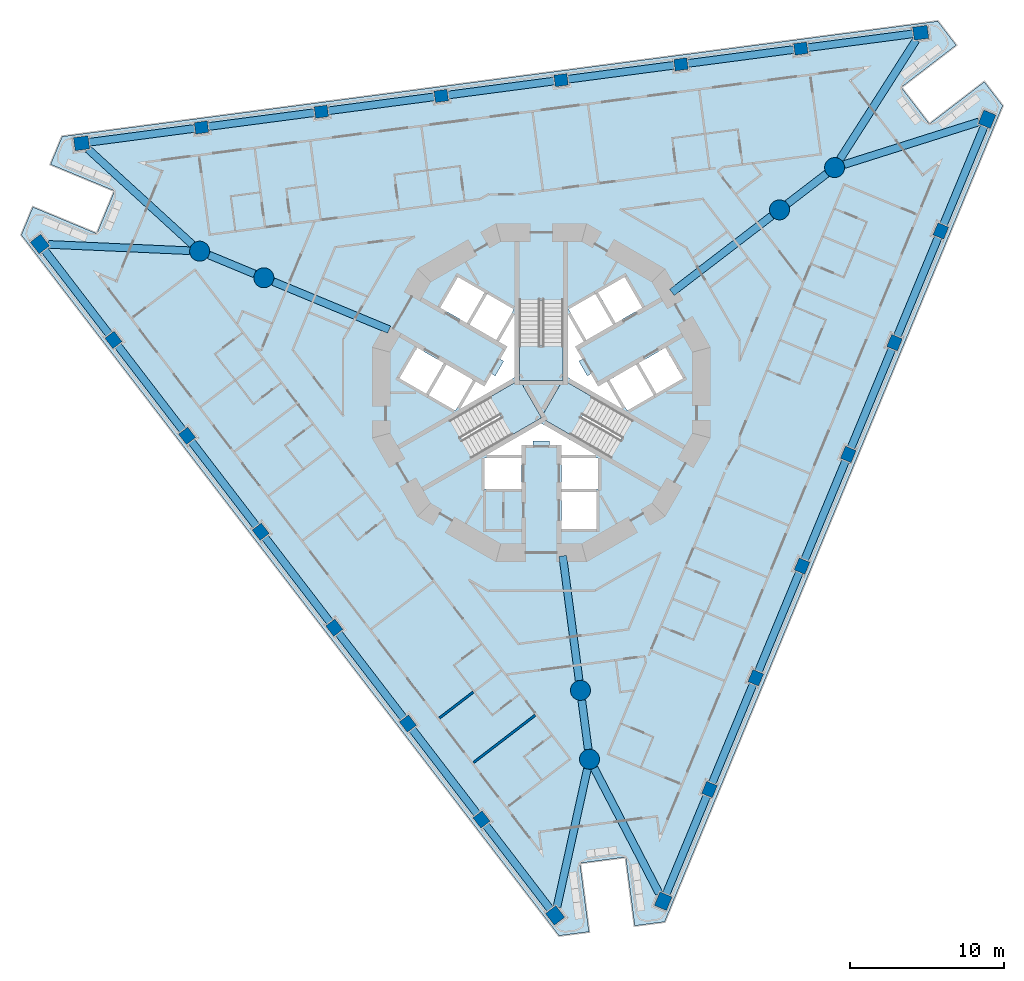
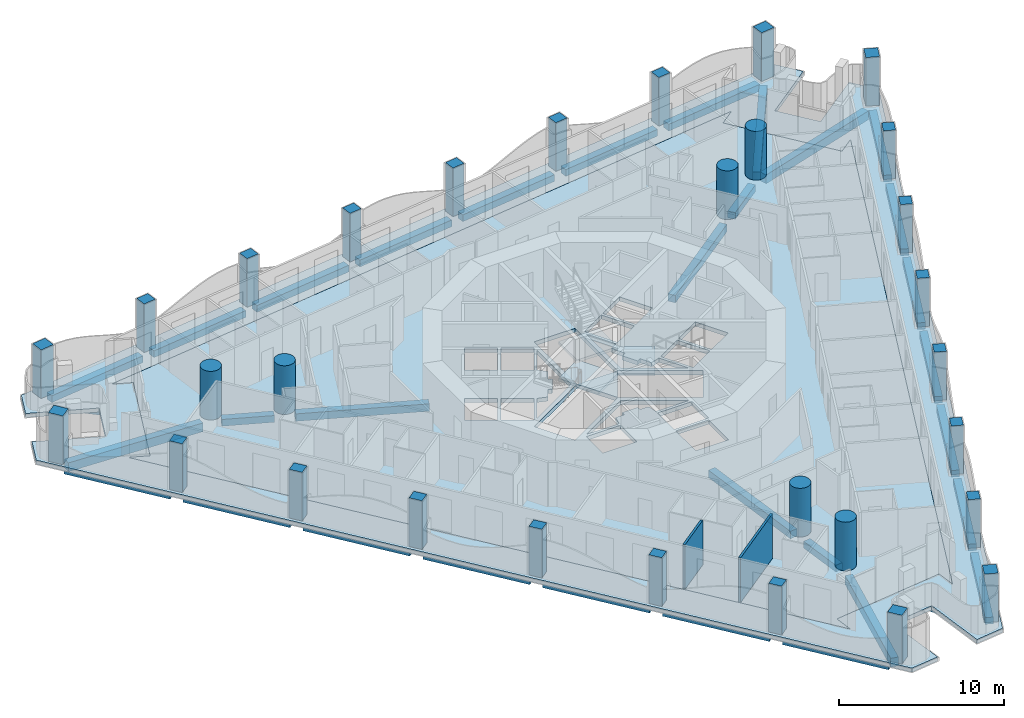
# One storey, part 1 of 19: 33 beams, 30 columns, 6 slabs, 2 walls, 3 elements without a shape of their own.
"""IFC4 building model written with IfcOpenShell, lengths in metres."""

from ifc_helpers import new_model, si_unit, direction, frame, frame_2d, origin, origin_2d, place, context, subcontext, project, spatial, polyline, rectangle, circle, outline, extrude, material, layer, layer_set, material_profile, profile_set, type_object, element, aggregate, save


model = new_model("IFC4")

# Units and contexts
model_context = context("Model", 3, precision=1e-05, world=origin(), true_north=direction((0.0, 1.0)))
body_context = subcontext(model_context, "Body", "Model", "MODEL_VIEW")
ifc_project = project(units=[si_unit("LENGTHUNIT", "METRE"), si_unit("AREAUNIT", "SQUARE_METRE"), si_unit("VOLUMEUNIT", "CUBIC_METRE"), si_unit("PLANEANGLEUNIT", "RADIAN"), si_unit("MASSUNIT", "GRAM", prefix="KILO")], contexts=[model_context])

# Site, building, storey
site_placement = place(None, origin())
site = spatial("IfcSite", under=ifc_project, at=site_placement, CompositionType="ELEMENT")
building_placement = place(site_placement, origin())
building = spatial("IfcBuilding", under=site, at=building_placement, Name="Trine Commons Tower", CompositionType="ELEMENT")
storey_placement = place(building_placement, frame((0.0, 0.0, 64.800048828125)))
storey = spatial("IfcBuildingStorey", under=building, at=storey_placement, Name="L15", CompositionType="ELEMENT", Elevation=64.800048828125)

# Columns
ifc_material_1 = material(Name="Concrete C80/95", Category="concrete")
ifc_material_profile_1 = material_profile(ifc_material_1, rectangle(XDim=0.85009765625, YDim=0.75, at=origin_2d()), Name="RC 850x750")
ifc_profile_set_1 = profile_set([ifc_material_profile_1], Name="Concrete C80/95")
column_type_1 = type_object("IfcColumnType", Name="RC column 850x750, C80/95", PredefinedType="COLUMN", material=ifc_profile_set_1)
for number, where, z_axis, x_axis, name in (
    (1, (76.1142578125, 34.74853515625, 0.0), (0.0, 0.0, 1.0), (-0.608761429009, 0.793353340291, 0.0), "Column PC2-02 L15"),
    (2, (71.3291015625, 40.984619140625, 0.0), (0.0, 0.0, 1.0), (-0.608761429009, 0.793353340291, 0.0), "Column PC2-03 L15"),
    (3, (66.5439453125, 47.220703125, 0.0), (0.0, 0.0, 1.0), (-0.608761429009, 0.793353340291, 0.0), "Column PC2-04 L15"),
    (4, (61.7587890625, 53.45703125, 0.0), (0.0, 0.0, 1.0), (-0.608761429009, 0.793353340291, 0.0), "Column PC2-05 L15"),
    (5, (56.9736328125, 59.693115234375, 0.0), (0.0, 0.0, 1.0), (-0.608761429009, 0.793353340291, 0.0), "Column PC2-06 L15"),
    (6, (52.1884765625, 65.92919921875, 0.0), (0.0, 0.0, 1.0), (-0.608761429009, 0.793353340291, 0.0), "Column PC2-07 L15"),
    (7, (57.9091796875, 79.740966796875, 0.0), (0.0, 0.0, 1.0), (0.991444861374, 0.13052619222, 0.0), "Column PC2-10 L15"),
    (8, (65.70263671875, 80.766845703125, 0.0), (0.0, 0.0, 1.0), (0.991444861374, 0.13052619222, 0.0), "Column PC2-11 L15"),
    (9, (73.495849609375, 81.79296875, 0.0), (0.0, 0.0, 1.0), (0.991444861374, 0.13052619222, 0.0), "Column PC2-12 L15"),
    (10, (81.2890625, 82.81884765625, 0.0), (0.0, 0.0, 1.0), (0.991444861374, 0.13052619222, 0.0), "Column PC2-13 L15"),
    (11, (89.08251953125, 83.844970703125, 0.0), (0.0, 0.0, 1.0), (0.991444861374, 0.13052619222, 0.0), "Column PC2-14 L15"),
    (12, (96.875732421875, 84.870849609375, 0.0), (0.0, 0.0, 1.0), (0.991444861374, 0.13052619222, 0.0), "Column PC2-15 L15"),
    (13, (105.976318359375, 73.010498046875, 0.0), (0.0, 0.0, 1.0), (0.382683432365, 0.923879532511, 0.0), "Column PC2-18 L15"),
    (14, (102.96826171875, 65.74853515625, 0.0), (0.0, 0.0, 1.0), (0.382683432365, 0.923879532511, 0.0), "Column PC2-19 L15"),
    (15, (99.960205078125, 58.486328125, 0.0), (0.0, 0.0, 1.0), (0.382683432365, 0.923879532511, 0.0), "Column PC2-20 L15"),
    (16, (96.9521484375, 51.22412109375, 0.0), (0.0, 0.0, 1.0), (0.382683432365, 0.923879532511, 0.0), "Column PC2-21 L15"),
    (17, (93.944091796875, 43.9619140625, 0.0), (0.0, 0.0, 1.0), (0.382683432365, 0.923879532511, 0.0), "Column PC2-22 L15"),
    (18, (90.935791015625, 36.69970703125, 0.0), (0.0, 0.0, 1.0), (0.382683432365, 0.923879532511, 0.0), "Column PC2-23 L15"),
):
    element("IfcColumn", number, at=place(storey_placement, frame(where, z_axis=z_axis, x_axis=x_axis)), inside=storey, type_object=column_type_1, Name=name, PredefinedType="COLUMN", context=body_context, shape_type="SweptSolid", body=[
        extrude(rectangle(XDim=0.85009765625, YDim=0.75, at=origin_2d()), origin(), (0.0, 0.0, 1.0), 3.599853515625),
    ])
ifc_material_profile_2 = material_profile(ifc_material_1, rectangle(XDim=0.949951171875, YDim=0.85009765625, at=origin_2d()), Name="RC 950x850")
ifc_profile_set_2 = profile_set([ifc_material_profile_2], Name="Concrete C80/95")
column_type_2 = type_object("IfcColumnType", Name="RC column 950x850, C80/95", PredefinedType="COLUMN", material=ifc_profile_set_2)
for number, where, z_axis, x_axis, name in (
    (19, (80.8994140625, 28.51220703125, 0.0), (0.0, 0.0, 1.0), (-0.608761429009, 0.793353340291, 0.0), "Column PC2-01 L15"),
    (20, (47.4033203125, 72.16552734375, 0.0), (0.0, 0.0, 1.0), (-0.608761429009, 0.793353340291, 0.0), "Column PC2-08 L15"),
    (21, (50.1162109375, 78.71484375, 0.0), (0.0, 0.0, 1.0), (0.991444861374, 0.13052619222, 0.0), "Column PC2-09 L15"),
    (22, (104.6689453125, 85.89697265625, 0.0), (0.0, 0.0, 1.0), (0.991444861374, 0.13052619222, 0.0), "Column PC2-16 L15"),
    (23, (108.984375, 80.272705078125, 0.0), (0.0, 0.0, 1.0), (0.382683432365, 0.923879532511, 0.0), "Column PC2-17 L15"),
    (24, (87.927734375, 29.4375, 0.0), (0.0, 0.0, 1.0), (0.382683432365, 0.923879532511, 0.0), "Column PC2-24 L15"),
):
    element("IfcColumn", number, at=place(storey_placement, frame(where, z_axis=z_axis, x_axis=x_axis)), inside=storey, type_object=column_type_2, Name=name, PredefinedType="COLUMN", context=body_context, shape_type="SweptSolid", body=[
        extrude(rectangle(XDim=0.949951171875, YDim=0.85009765625, at=origin_2d()), origin(), (0.0, 0.0, 1.0), 3.599853515625),
    ])
ifc_material_profile_3 = material_profile(ifc_material_1, circle(Radius=0.64990234375, at=origin_2d()), Name="RC round 1300")
ifc_profile_set_3 = profile_set([ifc_material_profile_3], Name="Concrete C80/95")
column_type_3 = type_object("IfcColumnType", Name="RC round column 1300 mm, C80/95", PredefinedType="COLUMN", material=ifc_profile_set_3)
for number, where, z_axis, x_axis, name in (
    (25, (82.548095703125, 43.14453125, 0.0), (0.0, 0.0, 1.0), (1.0, 0.0, 0.0), "Column WC2-1 L15"),
    (26, (83.1376953125, 38.6669921875, 0.0), (0.0, 0.0, 1.0), (1.0, 0.0, 0.0), "Column WC2-2 L15"),
    (27, (95.48828125, 74.384521484375, 0.0), (0.0, 0.0, 1.0), (1.0, 0.0, 0.0), "Column WC2-3 L15"),
    (28, (99.071044921875, 77.1337890625, 0.0), (0.0, 0.0, 1.0), (1.0, 0.0, 0.0), "Column WC2-4 L15"),
    (29, (61.963623046875, 69.970947265625, 0.0), (0.0, 0.0, 1.0), (1.0, 0.0, 0.0), "Column WC2-5 L15"),
    (30, (57.791259765625, 71.69921875, 0.0), (0.0, 0.0, 1.0), (1.0, 0.0, 0.0), "Column WC2-6 L15"),
):
    element("IfcColumn", number, at=place(storey_placement, frame(where, z_axis=z_axis, x_axis=x_axis)), inside=storey, type_object=column_type_3, Name=name, PredefinedType="COLUMN", context=body_context, shape_type="SweptSolid", body=[
        extrude(circle(Radius=0.64990234375, at=origin_2d()), origin(), (0.0, 0.0, 1.0), 3.599853515625),
    ])

# Beams
ifc_material_2 = material(Name="Concrete C50/60", Category="concrete")
ifc_material_profile_4 = material_profile(ifc_material_2, rectangle(XDim=0.5, YDim=0.5, at=origin_2d()), Name="RC 500x500")
ifc_profile_set_4 = profile_set([ifc_material_profile_4], Name="Concrete C50/60")
beam_type_1 = type_object("IfcBeamType", Name="RC beam 500x500, C50/60", PredefinedType="BEAM", material=ifc_profile_set_4)
beam_1_placement = place(storey_placement, frame((80.6103515625, 28.88916015625, -0.550048828125), z_axis=(-0.608757694977, 0.793356205501, 0.0), x_axis=(-0.793356205501, -0.608757694977, 0.0)))
element("IfcBeam", 31, at=beam_1_placement, inside=storey, type_object=beam_type_1, Name="Beam EB2-01 L15", PredefinedType="BEAM", context=body_context, shape_type="SweptSolid", body=[
    extrude(rectangle(XDim=0.5, YDim=0.5, at=origin_2d()), origin(), (0.0, 0.0, 1.0), 6.960693359375),
])
beam_2_placement = place(storey_placement, frame((75.855712890625, 35.085693359375, -0.550048828125), z_axis=(-0.608772912064, 0.793344528901, 0.0), x_axis=(-0.793344528901, -0.608772912064, 0.0)))
element("IfcBeam", 32, at=beam_2_placement, inside=storey, type_object=beam_type_1, Name="Beam EB2-02 L15", PredefinedType="BEAM", context=body_context, shape_type="SweptSolid", body=[
    extrude(rectangle(XDim=0.5, YDim=0.5, at=origin_2d()), origin(), (0.0, 0.0, 1.0), 7.010498046875),
])
beam_3_placement = place(storey_placement, frame((71.0703125, 41.322021484375, -0.550048828125), z_axis=(-0.608767812441, 0.793348442071, 0.0), x_axis=(-0.793348442071, -0.608767812441, 0.0)))
element("IfcBeam", 33, at=beam_3_placement, inside=storey, type_object=beam_type_1, Name="Beam EB2-03 L15", PredefinedType="BEAM", context=body_context, shape_type="SweptSolid", body=[
    extrude(rectangle(XDim=0.5, YDim=0.5, at=origin_2d()), origin(), (0.0, 0.0, 1.0), 7.01025390625),
])
for number, where, z_axis, x_axis, name in (
    (34, (66.285400390625, 47.55810546875, -0.550048828125), (-0.608772912064, 0.793344528901, 0.0), (-0.793344528901, -0.608772912064, 0.0), "Beam EB2-04 L15"),
    (35, (61.5, 53.794189453125, -0.550048828125), (-0.608750992772, 0.793361348188, 0.0), (-0.793361348188, -0.608750992772, 0.0), "Beam EB2-05 L15"),
):
    element("IfcBeam", number, at=place(storey_placement, frame(where, z_axis=z_axis, x_axis=x_axis)), inside=storey, type_object=beam_type_1, Name=name, PredefinedType="BEAM", context=body_context, shape_type="SweptSolid", body=[
        extrude(rectangle(XDim=0.5, YDim=0.5, at=origin_2d()), origin(), (0.0, 0.0, 1.0), 7.010498046875),
    ])
beam_4_placement = place(storey_placement, frame((56.71484375, 60.030517578125, -0.550048828125), z_axis=(-0.608789731625, 0.793331622128, 0.0), x_axis=(-0.793331622128, -0.608789731625, 0.0)))
element("IfcBeam", 36, at=beam_4_placement, inside=storey, type_object=beam_type_1, Name="Beam EB2-06 L15", PredefinedType="BEAM", context=body_context, shape_type="SweptSolid", body=[
    extrude(rectangle(XDim=0.5, YDim=0.5, at=origin_2d()), origin(), (0.0, 0.0, 1.0), 7.01025390625),
])
beam_5_placement = place(storey_placement, frame((51.9296875, 66.2666015625, -0.550048828125), z_axis=(-0.608757694977, 0.793356205501, 0.0), x_axis=(-0.793356205501, -0.608757694977, 0.0)))
element("IfcBeam", 37, at=beam_5_placement, inside=storey, type_object=beam_type_1, Name="Beam EB2-07 L15", PredefinedType="BEAM", context=body_context, shape_type="SweptSolid", body=[
    extrude(rectangle(XDim=0.5, YDim=0.5, at=origin_2d()), origin(), (0.0, 0.0, 1.0), 6.960693359375),
])
beam_6_placement = place(storey_placement, frame((50.5869140625, 78.77685546875, -0.550048828125), z_axis=(0.991446175382, 0.130516210946, 0.0), x_axis=(-0.130516210946, 0.991446175382, 0.0)))
element("IfcBeam", 38, at=beam_6_placement, inside=storey, type_object=beam_type_1, Name="Beam EB2-08 L15", PredefinedType="BEAM", context=body_context, shape_type="SweptSolid", body=[
    extrude(rectangle(XDim=0.5, YDim=0.5, at=origin_2d()), origin(), (0.0, 0.0, 1.0), 6.96044921875),
])
for number, where, z_axis, x_axis, name in (
    (39, (58.330810546875, 79.79638671875, -0.550048828125), (0.991444928767, 0.13052568032, 0.0), (-0.13052568032, 0.991444928767, 0.0), "Beam EB2-09 L15"),
    (40, (66.1240234375, 80.822509765625, -0.550048828125), (0.99144943492, 0.130491447984, 0.0), (-0.130491447984, 0.99144943492, 0.0), "Beam EB2-10 L15"),
    (41, (73.917236328125, 81.848388671875, -0.550048828125), (0.991444928767, 0.13052568032, 0.0), (-0.13052568032, 0.991444928767, 0.0), "Beam EB2-11 L15"),
    (42, (81.71044921875, 82.87451171875, -0.550048828125), (0.99144943492, 0.130491447984, 0.0), (-0.130491447984, 0.99144943492, 0.0), "Beam EB2-12 L15"),
    (43, (89.50390625, 83.900390625, -0.550048828125), (0.991444928767, 0.13052568032, 0.0), (-0.13052568032, 0.991444928767, 0.0), "Beam EB2-13 L15"),
):
    element("IfcBeam", number, at=place(storey_placement, frame(where, z_axis=z_axis, x_axis=x_axis)), inside=storey, type_object=beam_type_1, Name=name, PredefinedType="BEAM", context=body_context, shape_type="SweptSolid", body=[
        extrude(rectangle(XDim=0.5, YDim=0.5, at=origin_2d()), origin(), (0.0, 0.0, 1.0), 7.010498046875),
    ])
for number, where, z_axis, x_axis, name in (
    (44, (97.297119140625, 84.926513671875, -0.550048828125), (0.991446175382, 0.130516210946, 0.0), (-0.130516210946, 0.991446175382, 0.0), "Beam EB2-14 L15"),
    (45, (108.802490234375, 79.833984375, -0.550048828125), (-0.382671898974, -0.923884309714, 0.0), (0.923884309714, -0.382671898974, 0.0), "Beam EB2-15 L15"),
):
    element("IfcBeam", number, at=place(storey_placement, frame(where, z_axis=z_axis, x_axis=x_axis)), inside=storey, type_object=beam_type_1, Name=name, PredefinedType="BEAM", context=body_context, shape_type="SweptSolid", body=[
        extrude(rectangle(XDim=0.5, YDim=0.5, at=origin_2d()), origin(), (0.0, 0.0, 1.0), 6.96044921875),
    ])
beam_7_placement = place(storey_placement, frame((105.813720703125, 72.617919921875, -0.550048828125), z_axis=(-0.382693194178, -0.923875488976, 0.0), x_axis=(0.923875488976, -0.382693194178, 0.0)))
element("IfcBeam", 46, at=beam_7_placement, inside=storey, type_object=beam_type_1, Name="Beam EB2-16 L15", PredefinedType="BEAM", context=body_context, shape_type="SweptSolid", body=[
    extrude(rectangle(XDim=0.5, YDim=0.5, at=origin_2d()), origin(), (0.0, 0.0, 1.0), 7.010498046875),
])
for number, where, z_axis, x_axis, name in (
    (47, (102.8056640625, 65.35595703125, -0.550048828125), (-0.382680881742, -0.92388058901, 0.0), (0.92388058901, -0.382680881742, 0.0), "Beam EB2-17 L15"),
    (48, (99.797607421875, 58.09375, -0.550048828125), (-0.382680881742, -0.92388058901, 0.0), (0.92388058901, -0.382680881742, 0.0), "Beam EB2-18 L15"),
    (49, (96.78955078125, 50.83154296875, -0.550048828125), (-0.382680881742, -0.92388058901, 0.0), (0.92388058901, -0.382680881742, 0.0), "Beam EB2-19 L15"),
    (50, (93.781494140625, 43.5693359375, -0.550048828125), (-0.382710605355, -0.923868276622, 0.0), (0.923868276622, -0.382710605355, 0.0), "Beam EB2-20 L15"),
):
    element("IfcBeam", number, at=place(storey_placement, frame(where, z_axis=z_axis, x_axis=x_axis)), inside=storey, type_object=beam_type_1, Name=name, PredefinedType="BEAM", context=body_context, shape_type="SweptSolid", body=[
        extrude(rectangle(XDim=0.5, YDim=0.5, at=origin_2d()), origin(), (0.0, 0.0, 1.0), 7.0107421875),
    ])
beam_8_placement = place(storey_placement, frame((90.773193359375, 36.30712890625, -0.550048828125), z_axis=(-0.382671898974, -0.923884309714, 0.0), x_axis=(0.923884309714, -0.382671898974, 0.0)))
element("IfcBeam", 51, at=beam_8_placement, inside=storey, type_object=beam_type_1, Name="Beam EB2-21 L15", PredefinedType="BEAM", context=body_context, shape_type="SweptSolid", body=[
    extrude(rectangle(XDim=0.5, YDim=0.5, at=origin_2d()), origin(), (0.0, 0.0, 1.0), 6.96044921875),
])
beam_9_placement = place(storey_placement, frame((82.633056640625, 42.500732421875, -0.550048828125), z_axis=(0.130513398023, -0.991446545678, 0.0), x_axis=(0.991446545678, 0.130513398023, 0.0)))
element("IfcBeam", 52, at=beam_9_placement, inside=storey, type_object=beam_type_1, Name="Beam RB2-02 L15", PredefinedType="BEAM", context=body_context, shape_type="SweptSolid", body=[
    extrude(rectangle(XDim=0.5, YDim=0.5, at=origin_2d()), origin(), (0.0, 0.0, 1.0), 3.217529296875),
])
beam_10_placement = place(storey_placement, frame((96.00341796875, 74.77978515625, -0.550048828125), z_axis=(0.793368133848, 0.608742149185, 0.0), x_axis=(-0.608742149185, 0.793368133848, 0.0)))
element("IfcBeam", 53, at=beam_10_placement, inside=storey, type_object=beam_type_1, Name="Beam RB2-04 L15", PredefinedType="BEAM", context=body_context, shape_type="SweptSolid", body=[
    extrude(rectangle(XDim=0.5, YDim=0.5, at=origin_2d()), origin(), (0.0, 0.0, 1.0), 3.21728515625),
])
beam_11_placement = place(storey_placement, frame((61.363037109375, 70.2197265625, -0.550048828125), z_axis=(-0.923878970326, 0.382684789598, 0.0), x_axis=(-0.382684789598, -0.923878970326, 0.0)))
element("IfcBeam", 54, at=beam_11_placement, inside=storey, type_object=beam_type_1, Name="Beam RB2-06 L15", PredefinedType="BEAM", context=body_context, shape_type="SweptSolid", body=[
    extrude(rectangle(XDim=0.5, YDim=0.5, at=origin_2d()), origin(), (0.0, 0.0, 1.0), 3.216064453125),
])
ifc_material_profile_5 = material_profile(ifc_material_2, rectangle(XDim=0.5, YDim=0.550048828125, at=origin_2d()), Name="RC 500x550")
ifc_profile_set_5 = profile_set([ifc_material_profile_5], Name="Concrete C50/60")
beam_type_2 = type_object("IfcBeamType", Name="RC beam 500x550, C50/60", PredefinedType="BEAM", material=ifc_profile_set_5)
for number, where, z_axis, x_axis, name in (
    (55, (81.3974609375, 51.885009765625, -0.574951171875), (0.13051869661, -0.991445848161, 0.0), (0.991445848161, 0.13051869661, 0.0), "Beam RB2-01 L15"),
    (56, (88.494140625, 69.017578125, -0.574951171875), (0.79334357443, 0.608774155916, 0.0), (-0.608774155916, 0.79334357443, 0.0), "Beam RB2-03 L15"),
):
    element("IfcBeam", number, at=place(storey_placement, frame(where, z_axis=z_axis, x_axis=x_axis)), inside=storey, type_object=beam_type_2, Name=name, PredefinedType="BEAM", context=body_context, shape_type="SweptSolid", body=[
        extrude(rectangle(XDim=0.5, YDim=0.550048828125, at=origin_2d()), origin(), (0.0, 0.0, 1.0), 8.166748046875),
    ])
beam_12_placement = place(storey_placement, frame((70.1083984375, 66.59716796875, -0.574951171875), z_axis=(-0.923875444746, 0.382693300953, 0.0), x_axis=(-0.382693300953, -0.923875444746, 0.0)))
element("IfcBeam", 57, at=beam_12_placement, inside=storey, type_object=beam_type_2, Name="Beam RB2-05 L15", PredefinedType="BEAM", context=body_context, shape_type="SweptSolid", body=[
    extrude(rectangle(XDim=0.5, YDim=0.550048828125, at=origin_2d()), origin(), (0.0, 0.0, 1.0), 8.165771484375),
])
ifc_material_profile_6 = material_profile(ifc_material_2, rectangle(XDim=0.5, YDim=0.64990234375, at=origin_2d()), Name="RC 500x650")
ifc_profile_set_6 = profile_set([ifc_material_profile_6], Name="Concrete C50/60")
beam_type_3 = type_object("IfcBeamType", Name="RC beam 500x650, C50/60", PredefinedType="BEAM", material=ifc_profile_set_6)
for number, where, z_axis, x_axis, name in (
    (58, (47.9580078125, 72.140625, -0.625), (0.998993680757, -0.044851151696, 0.0), (0.044851151696, 0.998993680757, 0.0), "Beam CB2-01 L15"),
    (59, (50.52587890625, 78.340087890625, -0.625), (0.738114574549, -0.674675384788, 0.0), (0.674675384788, 0.738114574549, 0.0), "Beam CB2-02 L15"),
    (60, (104.369873046875, 85.428955078125, -0.625), (-0.538318035677, -0.842741770927, 0.0), (0.842741770927, -0.538318035677, 0.0), "Beam CB2-03 L15"),
):
    element("IfcBeam", number, at=place(storey_placement, frame(where, z_axis=z_axis, x_axis=x_axis)), inside=storey, type_object=beam_type_3, Name=name, PredefinedType="BEAM", context=body_context, shape_type="SweptSolid", body=[
        extrude(rectangle(XDim=0.5, YDim=0.64990234375, at=origin_2d()), origin(), (0.0, 0.0, 1.0), 9.19384765625),
    ])
beam_13_placement = place(storey_placement, frame((108.454833984375, 80.10498046875, -0.625), z_axis=(-0.953349995529, -0.301867166193, 0.0), x_axis=(0.301867166193, -0.953349995529, 0.0)))
element("IfcBeam", 61, at=beam_13_placement, inside=storey, type_object=beam_type_3, Name="Beam CB2-04 L15", PredefinedType="BEAM", context=body_context, shape_type="SweptSolid", body=[
    extrude(rectangle(XDim=0.5, YDim=0.64990234375, at=origin_2d()), origin(), (0.0, 0.0, 1.0), 9.193359375),
])
for number, where, z_axis, x_axis, name in (
    (62, (87.672119140625, 29.930419921875, -0.625), (-0.460652760363, 0.887580438253, 0.0), (-0.887580438253, -0.460652760363, 0.0), "Beam CB2-05 L15"),
    (63, (81.01904296875, 29.0546875, -0.625), (0.215234621965, 0.976562367444, 0.0), (-0.976562367444, 0.215234621965, 0.0), "Beam CB2-06 L15"),
):
    element("IfcBeam", number, at=place(storey_placement, frame(where, z_axis=z_axis, x_axis=x_axis)), inside=storey, type_object=beam_type_3, Name=name, PredefinedType="BEAM", context=body_context, shape_type="SweptSolid", body=[
        extrude(rectangle(XDim=0.5, YDim=0.64990234375, at=origin_2d()), origin(), (0.0, 0.0, 1.0), 9.193603515625),
    ])

# Slabs
ifc_layer_1 = layer(ifc_material_2, 0.300048828125)
ifc_layer_set_1 = layer_set([ifc_layer_1], Name="Concrete C50/60")
slab_type_1 = type_object("IfcSlabType", Name="Loggia slab 300 mm, C50/60", PredefinedType="FLOOR", material=ifc_layer_set_1)
slab_1_placement = place(storey_placement, frame((0.0, 0.0, -0.300048828125)))
element("IfcSlab", 64, at=slab_1_placement, inside=storey, type_object=slab_type_1, Name="Loggia slab L15", PredefinedType="FLOOR", context=body_context, shape_type="SweptSolid", body=[
    extrude(outline(polyline([(88.02294921875, 28.099365234375), (109.998046875, 81.15185546875), (108.80224609375, 82.710205078125), (105.232177734375, 79.970703125), (103.406005859375, 82.3505859375), (106.97607421875, 85.090087890625), (105.780517578125, 86.6484375), (48.847900390625, 79.153076171875), (48.096435546875, 77.33837890625), (52.25390625, 75.616455078125), (51.105712890625, 72.8447265625), (46.948486328125, 74.56689453125), (46.19677734375, 72.752197265625), (81.154052734375, 27.195068359375), (83.101318359375, 27.451416015625), (82.513916015625, 31.912841796875), (85.48828125, 32.304443359375), (86.07568359375, 27.843017578125), (88.02294921875, 28.099365234375)]), holes=[polyline([(79.99658203125, 32.6455078125), (79.8212890625, 33.97900390625), (87.554443359375, 34.997314453125), (87.72998046875, 33.663818359375), (105.856201171875, 77.42431640625), (104.789306640625, 76.605712890625), (100.041015625, 82.793701171875), (101.10791015625, 83.612548828125), (54.14697265625, 77.429931640625), (55.3896484375, 76.915283203125), (52.40478515625, 69.708984375), (51.162109375, 70.2236328125), (79.99658203125, 32.6455078125)])]), origin(), (0.0, 0.0, 1.0), 0.300048828125),
])
ifc_layer_2 = layer(ifc_material_2, 0.300048828125)
ifc_layer_set_2 = layer_set([ifc_layer_2], Name="Concrete C50/60")
slab_type_2 = type_object("IfcSlabType", Name="PT flat slab 300 mm, C50/60", PredefinedType="FLOOR", material=ifc_layer_set_2)
slab_2_placement = place(storey_placement, frame((0.0, 0.0, -0.300048828125)))
element("IfcSlab", 65, at=slab_2_placement, inside=storey, type_object=slab_type_2, Name="Floor slab L15", PredefinedType="FLOOR", context=body_context, shape_type="SweptSolid", body=[
    extrude(outline(polyline([(51.162109375, 70.2236328125), (79.99658203125, 32.6455078125), (79.8212890625, 33.97900390625), (87.554443359375, 34.997314453125), (87.72998046875, 33.663818359375), (105.856201171875, 77.42431640625), (104.789306640625, 76.605712890625), (100.041015625, 82.793701171875), (101.10791015625, 83.612548828125), (54.14697265625, 77.429931640625), (55.3896484375, 76.915283203125), (52.40478515625, 69.708984375), (51.162109375, 70.2236328125)]), holes=[polyline([(76.300048828125, 56.25), (78.699951171875, 56.25), (78.699951171875, 58.25), (76.300048828125, 58.25), (76.300048828125, 56.25)]), polyline([(81.14990234375, 59.10009765625), (81.300048828125, 58.449951171875), (83.56494140625, 58.449951171875), (80.0, 60.508056640625), (76.43505859375, 58.449951171875), (78.699951171875, 58.449951171875), (78.85009765625, 59.10009765625), (79.449951171875, 59.10009765625), (79.449951171875, 59.360107421875), (80.550048828125, 59.360107421875), (80.550048828125, 59.10009765625), (81.14990234375, 59.10009765625)]), polyline([(80.0, 60.8544921875), (84.4755859375, 58.2705078125), (85.900390625, 60.73876953125), (81.425048828125, 63.32275390625), (81.425048828125, 68.490478515625), (78.574951171875, 68.490478515625), (78.574951171875, 63.32275390625), (74.099609375, 60.73876953125), (75.5244140625, 58.2705078125), (80.0, 60.8544921875)]), polyline([(73.83740234375, 64.325927734375), (72.687255859375, 62.333984375), (74.41943359375, 61.333984375), (75.5693359375, 63.325927734375), (73.83740234375, 64.325927734375)]), polyline([(71.93212890625, 65.426025390625), (70.781982421875, 63.43408203125), (72.51416015625, 62.43408203125), (73.6640625, 64.426025390625), (71.93212890625, 65.426025390625)]), polyline([(76.781005859375, 63.722900390625), (76.381103515625, 63.031005859375), (75.742919921875, 63.22607421875), (74.7099609375, 61.43798828125), (78.27490234375, 63.49609375), (78.27490234375, 67.612060546875), (77.242919921875, 65.823974609375), (77.73095703125, 65.368896484375), (77.3310546875, 64.676025390625), (77.555908203125, 64.5458984375), (77.006103515625, 63.593994140625), (76.781005859375, 63.722900390625)]), polyline([(76.4873046875, 68.916015625), (75.33740234375, 66.924072265625), (77.0693359375, 65.924072265625), (78.219482421875, 67.916015625), (76.4873046875, 68.916015625)]), polyline([(74.58203125, 70.015869140625), (73.43212890625, 68.02392578125), (75.1640625, 67.02392578125), (76.314208984375, 69.015869140625), (74.58203125, 70.015869140625)]), polyline([(81.300048828125, 53.64990234375), (83.60009765625, 53.64990234375), (83.60009765625, 56.050048828125), (81.300048828125, 56.050048828125), (81.300048828125, 53.64990234375)]), polyline([(81.300048828125, 56.25), (83.699951171875, 56.25), (83.699951171875, 58.25), (81.300048828125, 58.25), (81.300048828125, 56.25)]), polyline([(87.312744140625, 62.333984375), (86.16259765625, 64.325927734375), (84.4306640625, 63.325927734375), (85.58056640625, 61.333984375), (87.312744140625, 62.333984375)]), polyline([(89.218017578125, 63.43408203125), (88.06787109375, 65.426025390625), (86.3359375, 64.426025390625), (87.48583984375, 62.43408203125), (89.218017578125, 63.43408203125)]), polyline([(83.243896484375, 63.738037109375), (82.993896484375, 63.593994140625), (82.444091796875, 64.5458984375), (82.72705078125, 64.7099609375), (82.281005859375, 65.549072265625), (82.757080078125, 65.823974609375), (81.72509765625, 67.612060546875), (81.72509765625, 63.49609375), (85.2900390625, 61.43798828125), (84.257080078125, 63.22607421875), (83.618896484375, 63.031005859375), (83.243896484375, 63.738037109375)]), polyline([(82.9306640625, 65.924072265625), (84.66259765625, 66.924072265625), (83.5126953125, 68.916015625), (81.780517578125, 67.916015625), (82.9306640625, 65.924072265625)]), polyline([(84.8359375, 67.02392578125), (86.56787109375, 68.02392578125), (85.41796875, 70.015869140625), (83.685791015625, 69.015869140625), (84.8359375, 67.02392578125)])]), origin(), (0.0, 0.0, 1.0), 0.300048828125),
])
slab_3_placement = place(storey_placement, frame((0.0, 0.0, -0.300048828125)))
element("IfcSlab", 66, at=slab_3_placement, inside=storey, type_object=slab_type_2, Name="Floor slab L15 2", PredefinedType="FLOOR", context=body_context, shape_type="SweptSolid", body=[
    extrude(outline(polyline([(78.61328125, 63.300537109375), (80.0, 60.89892578125), (81.38671875, 63.300537109375), (78.61328125, 63.300537109375)])), origin(), (0.0, 0.0, 1.0), 0.300048828125),
])

# Stair, slab
stair_type = type_object("IfcStairType", Name="Exit stair, dog-leg, 24 risers of 150 mm", PredefinedType="HALF_TURN_STAIR", material=ifc_material_2)
stair_1_placement = place(storey_placement, origin())
stair_1 = element("IfcStair", 67, at=stair_1_placement, inside=storey, type_object=stair_type, Name="L15 Exit stair ST1A", PredefinedType="HALF_TURN_STAIR")
ifc_layer_3 = layer(ifc_material_2, 0.199951171875)
ifc_layer_set_3 = layer_set([ifc_layer_3], Name="Concrete C50/60")
slab_type_3 = type_object("IfcSlabType", Name="Stair landing slab 200 mm, C50/60", PredefinedType="LANDING", material=ifc_layer_set_3)
slab_4_placement = place(storey_placement, frame((0.0, 0.0, 1.599853515625)))
slab_4 = element("IfcSlab", 68, at=slab_4_placement, type_object=slab_type_3, Name="ST1A landing 1", PredefinedType="LANDING", context=body_context, shape_type="SweptSolid", body=[
    extrude(outline(polyline([(78.574951171875, 65.570556640625), (78.574951171875, 63.300537109375), (81.425048828125, 63.300537109375), (81.425048828125, 65.570556640625), (78.574951171875, 65.570556640625)])), origin(), (0.0, 0.0, 1.0), 0.2001953125),
])
aggregate(stair_1, [slab_4])

stair_2_placement = place(storey_placement, origin())
stair_2 = element("IfcStair", 69, at=stair_2_placement, inside=storey, type_object=stair_type, Name="L15 Exit stair ST2A", PredefinedType="HALF_TURN_STAIR")
slab_5_placement = place(storey_placement, frame((0.0, 0.0, 1.599853515625)))
slab_5 = element("IfcSlab", 70, at=slab_5_placement, type_object=slab_type_3, Name="ST2A landing 1", PredefinedType="LANDING", context=body_context, shape_type="SweptSolid", body=[
    extrude(outline(polyline([(78.05322265625, 59.730712890625), (80.019287109375, 60.86572265625), (78.59423828125, 63.333740234375), (76.628173828125, 62.19873046875), (78.05322265625, 59.730712890625)])), origin(), (0.0, 0.0, 1.0), 0.2001953125),
])
aggregate(stair_2, [slab_5])

stair_3_placement = place(storey_placement, origin())
stair_3 = element("IfcStair", 71, at=stair_3_placement, inside=storey, type_object=stair_type, Name="L15 Exit stair ST3A", PredefinedType="HALF_TURN_STAIR")
slab_6_placement = place(storey_placement, frame((0.0, 0.0, 1.599853515625)))
slab_6 = element("IfcSlab", 72, at=slab_6_placement, type_object=slab_type_3, Name="ST3A landing 1", PredefinedType="LANDING", context=body_context, shape_type="SweptSolid", body=[
    extrude(outline(polyline([(83.371826171875, 62.19873046875), (81.40576171875, 63.333740234375), (79.980712890625, 60.86572265625), (81.94677734375, 59.730712890625), (83.371826171875, 62.19873046875)])), origin(), (0.0, 0.0, 1.0), 0.2001953125),
])
aggregate(stair_3, [slab_6])

# Walls
ifc_material_3 = material(Name="Gypsum plasterboard on steel stud", Category="steel")
ifc_layer_4 = layer(ifc_material_3, 0.14990234375)
ifc_layer_set_4 = layer_set([ifc_layer_4], Name="Gypsum plasterboard on steel stud")
wall_type = type_object("IfcWallType", Name="Unit and corridor wall 150 mm, EI 60", PredefinedType="PARTITIONING", material=ifc_layer_set_4)
wall_1_placement = place(storey_placement, frame((73.373779296875, 41.34228515625, 0.0), z_axis=(0.0, 0.0, 1.0), x_axis=(0.793579594979, 0.608466454648, 0.0)))
element("IfcWall", 73, at=wall_1_placement, inside=storey, type_object=wall_type, Name="Partition 060", PredefinedType="PARTITIONING", context=body_context, shape_type="SweptSolid", body=[
    extrude(rectangle(XDim=2.789306640625, YDim=0.14990234375, at=frame_2d((1.39453125, 0.0))), origin(), (0.0, 0.0, 1.0), 3.300048828125),
])
wall_2_placement = place(storey_placement, frame((75.5927734375, 38.451416015625, 0.0), z_axis=(0.0, 0.0, 1.0), x_axis=(0.793302827183, 0.608827253318, 0.0)))
element("IfcWall", 74, at=wall_2_placement, inside=storey, type_object=wall_type, Name="Partition 067", PredefinedType="PARTITIONING", context=body_context, shape_type="SweptSolid", body=[
    extrude(rectangle(XDim=5.0634765625, YDim=0.14990234375, at=frame_2d((2.53173828125, 0.0))), origin(), (0.0, 0.0, 1.0), 3.300048828125),
])

save(model, "model.ifc")
